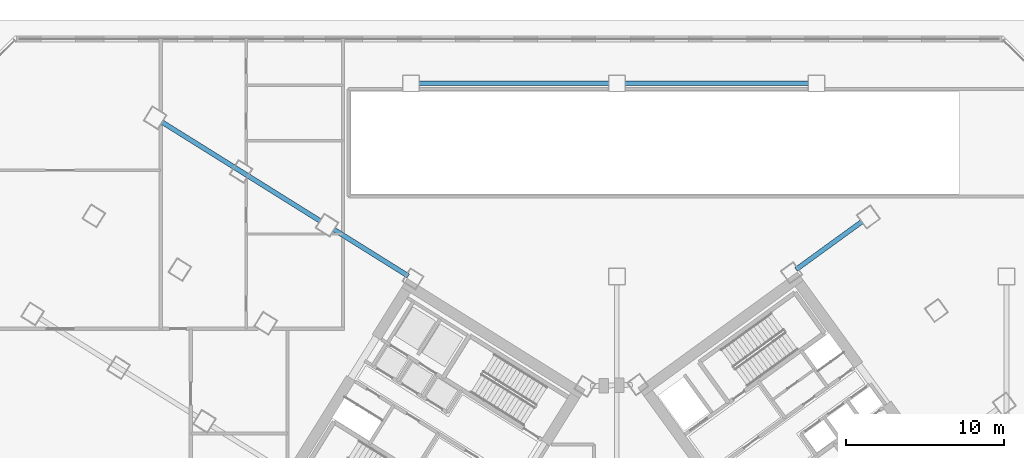
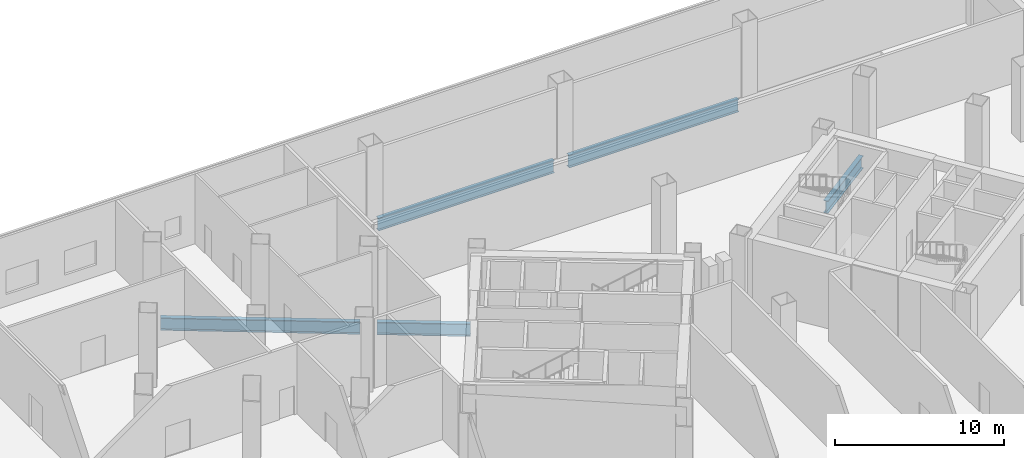
# One storey, part 5 of 22: 5 beams.
"""IFC4 building model written with IfcOpenShell, lengths in metres."""

from ifc_helpers import new_model, si_unit, direction, frame, origin, origin_2d, place, context, subcontext, project, spatial, i_section, extrude, source, transform, mapped, material, material_profile, profile_set, type_object, element, save


model = new_model("IFC4")

# Units and contexts
model_context = context("Model", 3, precision=1e-05, world=origin(), true_north=direction((0.0, 1.0)))
body_context = subcontext(model_context, "Body", "Model", "MODEL_VIEW")
ifc_project = project(units=[si_unit("LENGTHUNIT", "METRE"), si_unit("AREAUNIT", "SQUARE_METRE"), si_unit("VOLUMEUNIT", "CUBIC_METRE"), si_unit("PLANEANGLEUNIT", "RADIAN"), si_unit("MASSUNIT", "GRAM", prefix="KILO")], contexts=[model_context])

# Site, building, storey
site_placement = place(None, origin())
site = spatial("IfcSite", under=ifc_project, at=site_placement, CompositionType="ELEMENT")
building_placement = place(site_placement, origin())
building = spatial("IfcBuilding", under=site, at=building_placement, Name="Tlacorven Tower", CompositionType="ELEMENT")
storey_placement = place(building_placement, origin())
storey = spatial("IfcBuildingStorey", under=building, at=storey_placement, Name="L00", CompositionType="ELEMENT", Elevation=0.0)

# Beams
ifc_material = material(Name="Steel S460M", Category="steel")
ifc_material_profile = material_profile(ifc_material, i_section(OverallWidth=0.300048828125, OverallDepth=0.89990234375, WebThickness=0.0185546875, FlangeThickness=0.034912109375, at=origin_2d()), Name="HEB 900")
ifc_profile_set = profile_set([ifc_material_profile], Name="Steel S460M")
beam_type = type_object("IfcBeamType", Name="BM-POD-900", PredefinedType="BEAM", material=ifc_profile_set)
shared_shape_1 = source(origin(), body_context, "Body", "SweptSolid", [
    extrude(i_section(OverallWidth=0.300048828125, OverallDepth=0.89990234375, WebThickness=0.0185546875, FlangeThickness=0.034912109375, at=origin_2d()), origin(), (0.0, 0.0, 1.0), 12.0),
])
beam_1_placement = place(storey_placement, frame((30.300048828125, 43.60009765625, -0.800048828125), z_axis=(1.0, 0.0, 0.0), x_axis=(0.0, 1.0, 0.0)))
element("IfcBeam", 1, at=beam_1_placement, inside=storey, type_object=beam_type, Name="L00 beam BM-L00-GX4-1", PredefinedType="BEAM", context=body_context, shape_type="MappedRepresentation", body=[
    mapped(shared_shape_1, transform((0.0, 0.0, 0.0), scale=1.0)),
])
shared_shape_2 = source(origin(), body_context, "Body", "SweptSolid", [
    extrude(i_section(OverallWidth=0.300048828125, OverallDepth=0.89990234375, WebThickness=0.0185546875, FlangeThickness=0.034912109375, at=origin_2d()), origin(), (0.0, 0.0, 1.0), 11.599853515625),
])
beam_2_placement = place(storey_placement, frame((43.300048828125, 43.60009765625, -0.800048828125), z_axis=(1.0, 0.0, 0.0), x_axis=(0.0, 1.0, 0.0)))
element("IfcBeam", 2, at=beam_2_placement, inside=storey, type_object=beam_type, Name="L00 beam BM-L00-GX4-2", PredefinedType="BEAM", context=body_context, shape_type="MappedRepresentation", body=[
    mapped(shared_shape_2, transform((0.0, 0.0, 0.0), scale=1.0)),
])
shared_shape_3 = source(origin(), body_context, "Body", "SweptSolid", [
    extrude(i_section(OverallWidth=0.300048828125, OverallDepth=0.89990234375, WebThickness=0.0185546875, FlangeThickness=0.034912109375, at=origin_2d()), origin(), (0.0, 0.0, 1.0), 5.550048828125),
])
beam_3_placement = place(storey_placement, frame((29.631103515625, 31.436767578125, -0.800048828125), z_axis=(-0.848032900817, 0.529943581084, 0.0), x_axis=(-0.529943581084, -0.848032900817, 0.0)))
element("IfcBeam", 3, at=beam_3_placement, inside=storey, type_object=beam_type, Name="L00 beam BM-L00-WTG2-1", PredefinedType="BEAM", context=body_context, shape_type="MappedRepresentation", body=[
    mapped(shared_shape_3, transform((0.0, 0.0, 0.0), scale=1.0)),
])
shared_shape_4 = source(origin(), body_context, "Body", "SweptSolid", [
    extrude(i_section(OverallWidth=0.300048828125, OverallDepth=0.89990234375, WebThickness=0.0185546875, FlangeThickness=0.034912109375, at=origin_2d()), origin(), (0.0, 0.0, 1.0), 11.800048828125),
])
beam_4_placement = place(storey_placement, frame((24.076416015625, 34.90771484375, -0.800048828125), z_axis=(-0.848045956394, 0.529922688554, 0.0), x_axis=(-0.529922688554, -0.848045956394, 0.0)))
element("IfcBeam", 4, at=beam_4_placement, inside=storey, type_object=beam_type, Name="L00 beam BM-L00-WTG3-1", PredefinedType="BEAM", context=body_context, shape_type="MappedRepresentation", body=[
    mapped(shared_shape_4, transform((0.0, 0.0, 0.0), scale=1.0)),
])
shared_shape_5 = source(origin(), body_context, "Body", "SweptSolid", [
    extrude(i_section(OverallWidth=0.300048828125, OverallDepth=0.89990234375, WebThickness=0.0185546875, FlangeThickness=0.034912109375, at=origin_2d()), origin(), (0.0, 0.0, 1.0), 5.150146484375),
])
beam_5_placement = place(storey_placement, frame((54.114990234375, 31.84423828125, -0.800048828125), z_axis=(0.809020934422, 0.587779829245, 0.0), x_axis=(-0.587779829245, 0.809020934422, 0.0)))
element("IfcBeam", 5, at=beam_5_placement, inside=storey, type_object=beam_type, Name="L00 beam BM-L00-ETG2-2", PredefinedType="BEAM", context=body_context, shape_type="MappedRepresentation", body=[
    mapped(shared_shape_5, transform((0.0, 0.0, 0.0), scale=1.0)),
])

save(model, "model.ifc")
